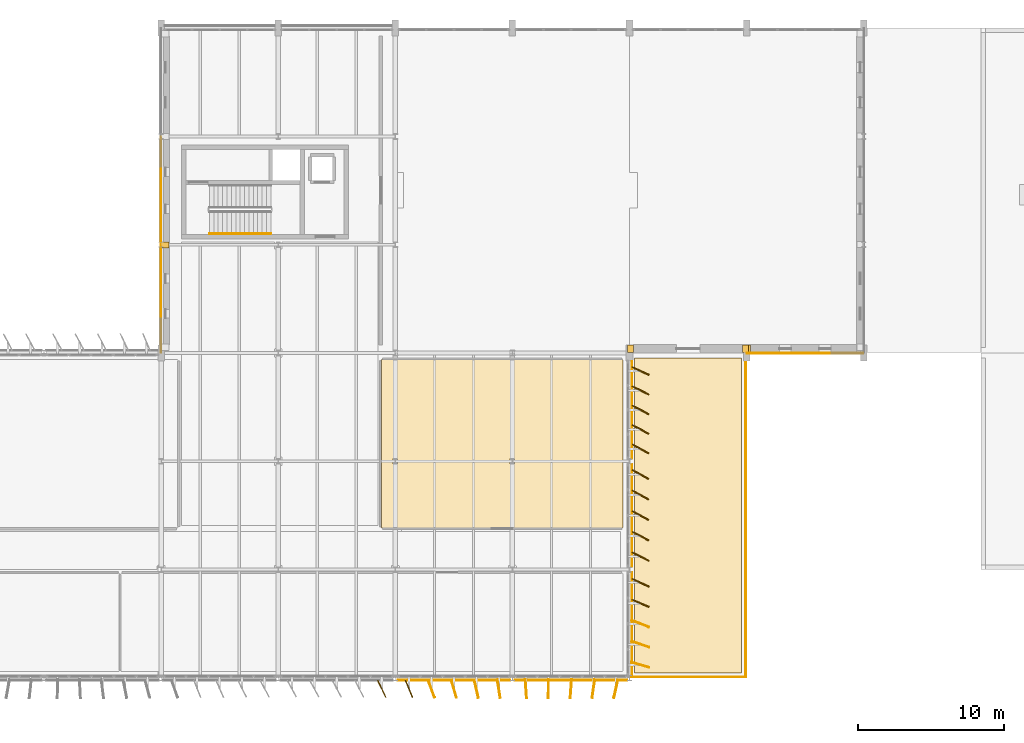
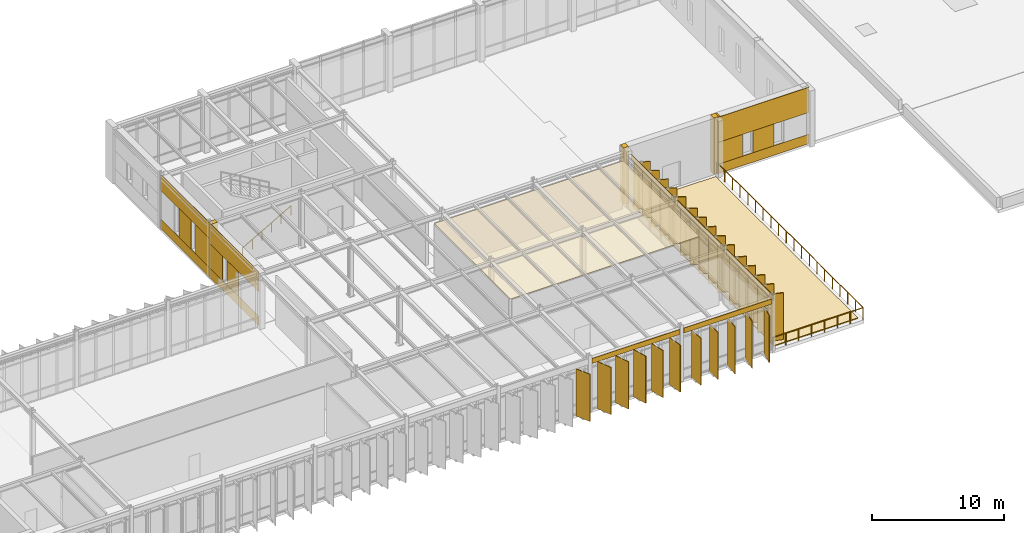
# One storey, part 46 of 48: 49 coverings, 3 railings.
"""IFC4 building model written with IfcOpenShell, lengths in metres."""

import ifcopenshell
import ifcopenshell.guid

model = None  # the IFC model being written
_history = None  # IfcOwnerHistory: only IFC2X3 demands one
_inside = {}  # id of a spatial element -> (the spatial element, [elements in it])
_under = {}  # id of a project, library or spatial element -> (it, [spatial elements below it])
_declared = {}  # id of a project -> (the project, [libraries it declares])
_typed = {}  # id of a type object -> (the type object, [elements of that type])
_made_of = {}  # id of a material, layer set ... -> (it, [elements and type objects made of it])


def new_model(schema):
    """Start an empty IFC model of exactly this schema.

    Asked for "IFC4X3", IfcOpenShell would pick the latest addendum, in which some entities
    have other attributes; the version numbers below select the first issue.
    IFC2X3 requires an IfcOwnerHistory on every rooted entity: one is made here for all.
    """
    global model, _history
    if schema == "IFC4X3":
        model = ifcopenshell.file(schema_version=(4, 3, 0, 0))
    else:
        model = ifcopenshell.file(schema=schema)
    _inside.clear()
    _under.clear()
    _declared.clear()
    _typed.clear()
    _made_of.clear()
    _history = None
    if model.schema == "IFC2X3":
        org = make("IfcOrganization", Name="unknown")
        user = make(
            "IfcPersonAndOrganization",
            ThePerson=make("IfcPerson", FamilyName="unknown"),
            TheOrganization=org,
        )
        app = make(
            "IfcApplication",
            ApplicationDeveloper=org,
            Version="unknown",
            ApplicationFullName="unknown",
            ApplicationIdentifier="unknown",
        )
        _history = make(
            "IfcOwnerHistory",
            OwningUser=user,
            OwningApplication=app,
            ChangeAction="ADDED",
            CreationDate=0,
        )
    return model


def make(cls, **values):
    """One entity of the class cls with the attributes given. An attribute that is None is left unset."""
    return model.create_entity(
        cls, **{name: value for name, value in values.items() if value is not None}
    )


def rooted(cls, **values):
    """An entity with a GlobalId (a new one), such as an element, a storey or a relation."""
    return make(cls, GlobalId=ifcopenshell.guid.new(), OwnerHistory=_history, **values)


def si_unit(unit_type, name, prefix=None):
    """IfcSIUnit, for example si_unit("LENGTHUNIT", "METRE", prefix="MILLI")."""
    return make("IfcSIUnit", UnitType=unit_type, Prefix=prefix, Name=name)


def assignment(units):
    """IfcUnitAssignment: the units of a project."""
    return None if units is None else make("IfcUnitAssignment", Units=units)


def point(xyz):
    """IfcCartesianPoint."""
    return None if xyz is None else make("IfcCartesianPoint", Coordinates=xyz)


def direction(xyz):
    """IfcDirection."""
    return None if xyz is None else make("IfcDirection", DirectionRatios=xyz)


def frame(location, z_axis=None, x_axis=None):
    """IfcAxis2Placement3D, a coordinate frame: its origin and axes. An axis left out is left unset."""
    return make(
        "IfcAxis2Placement3D",
        Location=point(location),
        Axis=direction(z_axis),
        RefDirection=direction(x_axis),
    )


def frame_2d(location, x_axis=None):
    """IfcAxis2Placement2D, a coordinate frame in the plane: its origin and x axis."""
    return make(
        "IfcAxis2Placement2D", Location=point(location), RefDirection=direction(x_axis)
    )


def origin():
    """The frame at (0, 0, 0) with its axes left unset."""
    return frame((0.0, 0.0, 0.0))


def origin_2d():
    """The frame at (0, 0) in the plane with its x axis left unset."""
    return frame_2d((0.0, 0.0))


def place(relative_to, where):
    """IfcLocalPlacement: puts the frame where relative to a parent placement (None: the world)."""
    return make(
        "IfcLocalPlacement", PlacementRelTo=relative_to, RelativePlacement=where
    )


def context(
    kind, dimensions, precision=None, world=None, true_north=None, identifier=None
):
    """IfcGeometricRepresentationContext, for example the 3D "Model" context."""
    return make(
        "IfcGeometricRepresentationContext",
        ContextIdentifier=identifier,
        ContextType=kind,
        CoordinateSpaceDimension=dimensions,
        Precision=precision,
        WorldCoordinateSystem=world,
        TrueNorth=true_north,
    )


def subcontext(parent, identifier, kind, view, scale=None):
    """IfcGeometricRepresentationSubContext, for example "Body" below "Model"."""
    return make(
        "IfcGeometricRepresentationSubContext",
        ContextIdentifier=identifier,
        ContextType=kind,
        ParentContext=parent,
        TargetScale=scale,
        TargetView=view,
    )


def project(units=None, contexts=None):
    """IfcProject with its units and contexts."""
    return rooted(
        "IfcProject",
        Name="project",
        RepresentationContexts=contexts,
        UnitsInContext=assignment(units),
    )


def spatial(cls, under=None, at=None, **own):
    """A site, building, storey or space (cls), placed at a placement, below another one or the project."""
    s = rooted(cls, ObjectPlacement=at, **own)
    if under is not None:
        _under.setdefault(under.id(), (under, []))[1].append(s)
    return s


def polyline(points):
    """IfcPolyline through the points."""
    return make("IfcPolyline", Points=[point(p) for p in points])


def profile(cls, at=None, kind="AREA", **sizes):
    """A parametric profile (cls). Its sizes go by their IFC names, for example OverallWidth=200.0."""
    return make(cls, ProfileType=kind, Position=at, **sizes)


def rectangle(**sizes):
    """IfcRectangleProfileDef."""
    return profile("IfcRectangleProfileDef", **sizes)


def circle(**sizes):
    """IfcCircleProfileDef."""
    return profile("IfcCircleProfileDef", **sizes)


def outline(outer, holes=None, kind="AREA"):
    """IfcArbitraryClosedProfileDef: a profile drawn as a closed curve; with holes, ...WithVoids."""
    if holes is None:
        return make("IfcArbitraryClosedProfileDef", ProfileType=kind, OuterCurve=outer)
    return make(
        "IfcArbitraryProfileDefWithVoids",
        ProfileType=kind,
        OuterCurve=outer,
        InnerCurves=holes,
    )


def extrude(swept, where, along, depth):
    """IfcExtrudedAreaSolid: the profile swept, set in the frame where, extruded along a direction by depth."""
    return make(
        "IfcExtrudedAreaSolid",
        SweptArea=swept,
        Position=where,
        ExtrudedDirection=direction(along),
        Depth=depth,
    )


def shape(context_of_items, identifier, shape_type, items):
    """IfcShapeRepresentation: the items that make up one representation, for example the "Body"."""
    return make(
        "IfcShapeRepresentation",
        ContextOfItems=context_of_items,
        RepresentationIdentifier=identifier,
        RepresentationType=shape_type,
        Items=items,
    )


def material(Name=None, Category=None):
    """IfcMaterial."""
    return make("IfcMaterial", Name=Name, Category=Category)


def layer(
    of_material, thickness, ventilated=None, Name=None, Category=None, Priority=None
):
    """IfcMaterialLayer: one layer of a wall or slab, of a material (None: an air gap)."""
    return make(
        "IfcMaterialLayer",
        Material=of_material,
        LayerThickness=thickness,
        IsVentilated=ventilated,
        Name=Name,
        Category=Category,
        Priority=Priority,
    )


def layer_set(layers, Name=None):
    """IfcMaterialLayerSet."""
    return make("IfcMaterialLayerSet", MaterialLayers=layers, LayerSetName=Name)


def made_of(thing, what):
    """Note that an element or type object is made of a material, layer set ...; save() writes the relation."""
    if what is not None:
        _made_of.setdefault(what.id(), (what, []))[1].append(thing)
    return thing


def type_object(cls, material=None, **own):
    """A type object (cls), such as IfcWallType, which elements share."""
    return made_of(rooted(cls, **own), material)


def element(
    cls,
    number,
    at=None,
    inside=None,
    cuts=None,
    type_object=None,
    material=None,
    context=None,
    identifier="Body",
    shape_type=None,
    held_by="IfcProductDefinitionShape",
    body=None,
    shapes=None,
    **own,
):
    """One element of the class cls, such as IfcWall. Its Tag is "e" and its number.

    at: its placement. inside: the storey or other place that contains it. cuts: it is an
    opening in that element (IfcRelVoidsElement). A single representation is given by context,
    identifier, shape_type and body (its items); several are given by shapes. held_by: the class
    of the entity that holds the representations. save() writes the other relations.
    """
    e = rooted(cls, Tag="e%d" % number, ObjectPlacement=at, **own)
    if body is not None:
        shapes = [shape(context, identifier, shape_type, body)]
    if shapes is not None:
        e.Representation = make(held_by, Representations=shapes)
    if inside is not None:
        _inside.setdefault(inside.id(), (inside, []))[1].append(e)
    if cuts is not None:
        rooted(
            "IfcRelVoidsElement", RelatingBuildingElement=cuts, RelatedOpeningElement=e
        )
    if type_object is not None:
        _typed.setdefault(type_object.id(), (type_object, []))[1].append(e)
    return made_of(e, material)


def aggregate(whole, parts):
    """IfcRelAggregates: a whole, such as a stair, and the parts it consists of."""
    return rooted("IfcRelAggregates", RelatingObject=whole, RelatedObjects=parts)


def save(model, path):
    """Write the relations noted so far, then the file.

    IfcRelAggregates (storeys below a building ...), IfcRelContainedInSpatialStructure (elements
    in a storey), IfcRelDefinesByType, IfcRelAssociatesMaterial and IfcRelDeclares: one each for
    every whole, place, type object, material and project.
    """
    for whole, parts in _under.values():
        aggregate(whole, parts)
    for where, things in _inside.values():
        rooted(
            "IfcRelContainedInSpatialStructure",
            RelatedElements=things,
            RelatingStructure=where,
        )
    for kind, things in _typed.values():
        rooted("IfcRelDefinesByType", RelatedObjects=things, RelatingType=kind)
    for what, things in _made_of.values():
        rooted("IfcRelAssociatesMaterial", RelatedObjects=things, RelatingMaterial=what)
    for by, libraries in _declared.values():
        rooted("IfcRelDeclares", RelatingContext=by, RelatedDefinitions=libraries)
    model.write(path)


model = new_model("IFC4")

# Units and contexts
model_context = context("Model", 3, precision=1e-05, world=origin(), true_north=direction((0.0, 1.0)))
body_context = subcontext(model_context, "Body", "Model", "MODEL_VIEW")
ifc_project = project(units=[si_unit("LENGTHUNIT", "METRE"), si_unit("AREAUNIT", "SQUARE_METRE"), si_unit("VOLUMEUNIT", "CUBIC_METRE"), si_unit("PLANEANGLEUNIT", "RADIAN"), si_unit("MASSUNIT", "GRAM", prefix="KILO")], contexts=[model_context])

# Site, building, storey
site_placement = place(None, origin())
site = spatial("IfcSite", under=ifc_project, at=site_placement, CompositionType="ELEMENT")
building_placement = place(site_placement, origin())
building = spatial("IfcBuilding", under=site, at=building_placement, Name="Valkorina Park Police Headquarters", CompositionType="ELEMENT")
storey_placement = place(building_placement, frame((0.0, 0.0, 18.10009765625)))
storey = spatial("IfcBuildingStorey", under=building, at=storey_placement, Name="L05", CompositionType="ELEMENT", Elevation=18.10009765625)

# Coverings
ifc_material_1 = material(Name="Acoustic mineral board")
ifc_layer_1 = layer(ifc_material_1, 0.02490234375)
ifc_layer_set_1 = layer_set([ifc_layer_1], Name="Acoustic mineral board")
covering_type_1 = type_object("IfcCoveringType", Name="COV-CEILING-ACOUST", PredefinedType="CEILING", material=ifc_layer_set_1)
covering_1_placement = place(storey_placement, frame((0.0, 0.0, 4.39501953125)))
element("IfcCovering", 1, at=covering_1_placement, inside=storey, type_object=covering_type_1, Name="East Terrace Staff Lounge Acoustic Suspended Ceiling", PredefinedType="CEILING", context=body_context, shape_type="SweptSolid", body=[
    extrude(outline(polyline([(112.295654296875, 58.758544921875), (112.287841796875, 58.759521484375), (112.280029296875, 58.760009765625), (95.919921875, 58.760009765625), (95.912109375, 58.759521484375), (95.904296875, 58.758544921875), (95.896728515625, 58.756591796875), (95.889404296875, 58.75390625), (95.88232421875, 58.75048828125), (95.87548828125, 58.74658203125), (95.869140625, 58.74169921875), (95.86328125, 58.736572265625), (95.858154296875, 58.730712890625), (95.853515625, 58.724365234375), (95.849365234375, 58.7177734375), (95.84619140625, 58.710693359375), (95.843505859375, 58.703125), (95.841552734375, 58.695556640625), (95.84033203125, 58.687744140625), (95.840087890625, 58.679931640625), (95.840087890625, 47.320068359375), (95.84033203125, 47.312255859375), (95.841552734375, 47.304443359375), (95.843505859375, 47.296875), (95.84619140625, 47.289306640625), (95.849365234375, 47.2822265625), (95.853515625, 47.275634765625), (95.858154296875, 47.269287109375), (95.86328125, 47.263427734375), (95.869140625, 47.25830078125), (95.87548828125, 47.25341796875), (95.88232421875, 47.24951171875), (95.889404296875, 47.24609375), (95.896728515625, 47.243408203125), (95.904296875, 47.241455078125), (95.912109375, 47.240478515625), (95.919921875, 47.239990234375), (112.280029296875, 47.239990234375), (112.287841796875, 47.240478515625), (112.295654296875, 47.241455078125), (112.30322265625, 47.243408203125), (112.310546875, 47.24609375), (112.317626953125, 47.24951171875), (112.324462890625, 47.25341796875), (112.330810546875, 47.25830078125), (112.336669921875, 47.263427734375), (112.341796875, 47.269287109375), (112.346435546875, 47.275634765625), (112.3505859375, 47.2822265625), (112.35400390625, 47.289306640625), (112.356689453125, 47.296875), (112.3583984375, 47.304443359375), (112.359619140625, 47.312255859375), (112.360107421875, 47.320068359375), (112.360107421875, 58.679931640625), (112.359619140625, 58.687744140625), (112.3583984375, 58.695556640625), (112.356689453125, 58.703125), (112.35400390625, 58.710693359375), (112.3505859375, 58.7177734375), (112.346435546875, 58.724365234375), (112.341796875, 58.730712890625), (112.336669921875, 58.736572265625), (112.330810546875, 58.74169921875), (112.324462890625, 58.74658203125), (112.317626953125, 58.75048828125), (112.310546875, 58.75390625), (112.30322265625, 58.756591796875), (112.295654296875, 58.758544921875)]), holes=[polyline([(104.64990234375, 51.97998046875), (104.949951171875, 51.97998046875), (104.949951171875, 51.6201171875), (104.64990234375, 51.6201171875), (104.64990234375, 51.97998046875)]), polyline([(96.64990234375, 51.97998046875), (96.949951171875, 51.97998046875), (96.949951171875, 51.6201171875), (96.64990234375, 51.6201171875), (96.64990234375, 51.97998046875)])]), origin(), (0.0, 0.0, 1.0), 0.02490234375),
])
ifc_material_2 = material(Name="Precast concrete C40/50", Category="concrete")
ifc_layer_2 = layer(ifc_material_2, 0.044921875)
ifc_layer_set_2 = layer_set([ifc_layer_2], Name="Precast concrete C40/50")
covering_type_2 = type_object("IfcCoveringType", Name="COV-CLAD-DOLOMITE", PredefinedType="CLADDING", material=ifc_layer_set_2)
for number, where, z_axis, x_axis, name in (
    (2, (112.639892578125, 36.840087890625, 4.409912109375), (0.0, 0.0, 1.0), (-1.0, 0.0, 0.0), "L05 Spandrel Beam Insulated Fascia 2396"),
    (3, (104.639892578125, 36.840087890625, 4.409912109375), (0.0, 0.0, 1.0), (-1.0, 0.0, 0.0), "L05 Spandrel Beam Insulated Fascia 2397"),
):
    element("IfcCovering", number, at=place(storey_placement, frame(where, z_axis=z_axis, x_axis=x_axis)), inside=storey, type_object=covering_type_2, Name=name, PredefinedType="CLADDING", context=body_context, shape_type="SweptSolid", body=[
        extrude(rectangle(XDim=7.679931640625, YDim=0.044921875, at=frame_2d((3.83984375, 0.0))), origin(), (0.0, 0.0, 1.0), 0.4599609375),
    ])
covering_2_placement = place(storey_placement, frame((81.090087890625, 66.580078125, 0.0), z_axis=(0.0, 0.0, 1.0), x_axis=(0.0, 1.0, 0.0)))
element("IfcCovering", 4, at=covering_2_placement, inside=storey, type_object=covering_type_2, Name="L05 Exterior Joint Closure Pilaster B 2424", PredefinedType="CLADDING", context=body_context, shape_type="SweptSolid", body=[
    extrude(rectangle(XDim=0.419921875, YDim=0.52197265625, at=origin_2d()), origin(), (0.0, 0.0, 1.0), 4.97998046875),
])
covering_3_placement = place(storey_placement, frame((80.784912109375, 59.219970703125, 0.0), z_axis=(0.0, 0.0, 1.0), x_axis=(0.0, 1.0, 0.0)))
element("IfcCovering", 5, at=covering_3_placement, inside=storey, type_object=covering_type_2, Name="L05 Calm Concrete Base Sill Spandrel 2425", PredefinedType="CLADDING", context=body_context, shape_type="SweptSolid", body=[
    extrude(rectangle(XDim=7.360107421875, YDim=0.044921875, at=frame_2d((3.68017578125, 0.0))), origin(), (0.0, 0.0, 1.0), 0.869873046875),
])
covering_4_placement = place(storey_placement, frame((80.784912109375, 59.219970703125, 3.1298828125), z_axis=(0.0, 0.0, 1.0), x_axis=(0.0, 1.0, 0.0)))
element("IfcCovering", 6, at=covering_4_placement, inside=storey, type_object=covering_type_2, Name="L05 Calm Concrete Base Lintel Spandrel 2426", PredefinedType="CLADDING", context=body_context, shape_type="SweptSolid", body=[
    extrude(rectangle(XDim=7.360107421875, YDim=0.044921875, at=frame_2d((3.68017578125, 0.0))), origin(), (0.0, 0.0, 1.0), 1.85009765625),
])
covering_5_placement = place(storey_placement, frame((80.784912109375, 62.238037109375, 0.869873046875), z_axis=(0.0, 0.0, 1.0), x_axis=(0.0, 1.0, 0.0)))
element("IfcCovering", 7, at=covering_5_placement, inside=storey, type_object=covering_type_2, Name="L05 Calm Concrete Base Slot Pier 2428", PredefinedType="CLADDING", context=body_context, shape_type="SweptSolid", body=[
    extrude(rectangle(XDim=1.69384765625, YDim=0.044921875, at=frame_2d((0.846923828125, 0.0))), origin(), (0.0, 0.0, 1.0), 2.260009765625),
])
covering_6_placement = place(storey_placement, frame((80.784912109375, 64.632080078125, 0.869873046875), z_axis=(0.0, 0.0, 1.0), x_axis=(0.0, 1.0, 0.0)))
element("IfcCovering", 8, at=covering_6_placement, inside=storey, type_object=covering_type_2, Name="L05 Calm Concrete Base Slot Pier 2429", PredefinedType="CLADDING", context=body_context, shape_type="SweptSolid", body=[
    extrude(rectangle(XDim=1.947998046875, YDim=0.044921875, at=frame_2d((0.97412109375, 0.0))), origin(), (0.0, 0.0, 1.0), 2.260009765625),
])
covering_7_placement = place(storey_placement, frame((80.784912109375, 66.6201171875, 0.0), z_axis=(0.0, 0.0, 1.0), x_axis=(0.0, 1.0, 0.0)))
element("IfcCovering", 9, at=covering_7_placement, inside=storey, type_object=covering_type_2, Name="L05 Calm Concrete Base Sill Spandrel 2431", PredefinedType="CLADDING", context=body_context, shape_type="SweptSolid", body=[
    extrude(rectangle(XDim=7.35986328125, YDim=0.044921875, at=frame_2d((3.679931640625, 0.0))), origin(), (0.0, 0.0, 1.0), 0.869873046875),
])
covering_8_placement = place(storey_placement, frame((80.784912109375, 66.6201171875, 3.52978515625), z_axis=(0.0, 0.0, 1.0), x_axis=(0.0, 1.0, 0.0)))
element("IfcCovering", 10, at=covering_8_placement, inside=storey, type_object=covering_type_2, Name="L05 Calm Concrete Base Lintel Spandrel 2432", PredefinedType="CLADDING", context=body_context, shape_type="SweptSolid", body=[
    extrude(rectangle(XDim=7.35986328125, YDim=0.044921875, at=frame_2d((3.679931640625, 0.0))), origin(), (0.0, 0.0, 1.0), 1.4501953125),
])
covering_9_placement = place(storey_placement, frame((80.784912109375, 66.6201171875, 0.869873046875), z_axis=(0.0, 0.0, 1.0), x_axis=(0.0, 1.0, 0.0)))
element("IfcCovering", 11, at=covering_9_placement, inside=storey, type_object=covering_type_2, Name="L05 Calm Concrete Base Slot Pier 2433", PredefinedType="CLADDING", context=body_context, shape_type="SweptSolid", body=[
    extrude(rectangle(XDim=2.066162109375, YDim=0.044921875, at=frame_2d((1.033203125, 0.0))), origin(), (0.0, 0.0, 1.0), 2.659912109375),
])
covering_10_placement = place(storey_placement, frame((80.784912109375, 69.386474609375, 0.869873046875), z_axis=(0.0, 0.0, 1.0), x_axis=(0.0, 1.0, 0.0)))
element("IfcCovering", 12, at=covering_10_placement, inside=storey, type_object=covering_type_2, Name="L05 Calm Concrete Base Slot Pier 2434", PredefinedType="CLADDING", context=body_context, shape_type="SweptSolid", body=[
    extrude(rectangle(XDim=1.8271484375, YDim=0.044921875, at=frame_2d((0.91357421875, 0.0))), origin(), (0.0, 0.0, 1.0), 2.659912109375),
])
covering_11_placement = place(storey_placement, frame((120.864990234375, 59.489990234375, 0.0), z_axis=(0.0, 0.0, 1.0), x_axis=(1.0, 0.0, 0.0)))
element("IfcCovering", 13, at=covering_11_placement, inside=storey, type_object=covering_type_2, Name="L05 Exterior Joint Closure Pilaster B 2463", PredefinedType="CLADDING", context=body_context, shape_type="SweptSolid", body=[
    extrude(rectangle(XDim=0.419921875, YDim=0.52197265625, at=origin_2d()), origin(), (0.0, 0.0, 1.0), 5.199951171875),
])
covering_12_placement = place(storey_placement, frame((128.780029296875, 59.18505859375, 0.0), z_axis=(0.0, 0.0, 1.0), x_axis=(-1.0, 0.0, 0.0)))
element("IfcCovering", 14, at=covering_12_placement, inside=storey, type_object=covering_type_2, Name="L05 Calm Concrete Base Sill Spandrel 2464", PredefinedType="CLADDING", context=body_context, shape_type="SweptSolid", body=[
    extrude(rectangle(XDim=7.9599609375, YDim=0.044921875, at=frame_2d((3.97998046875, 0.0))), origin(), (0.0, 0.0, 1.0), 0.869873046875),
])
covering_13_placement = place(storey_placement, frame((128.780029296875, 59.18505859375, 2.8798828125), z_axis=(0.0, 0.0, 1.0), x_axis=(-1.0, 0.0, 0.0)))
element("IfcCovering", 15, at=covering_13_placement, inside=storey, type_object=covering_type_2, Name="L05 Calm Concrete Base Lintel Spandrel 2465", PredefinedType="CLADDING", context=body_context, shape_type="SweptSolid", body=[
    extrude(rectangle(XDim=7.9599609375, YDim=0.044921875, at=frame_2d((3.97998046875, 0.0))), origin(), (0.0, 0.0, 1.0), 2.320068359375),
])
covering_14_placement = place(storey_placement, frame((125.705322265625, 59.18505859375, 0.869873046875), z_axis=(0.0, 0.0, 1.0), x_axis=(-1.0, 0.0, 0.0)))
element("IfcCovering", 16, at=covering_14_placement, inside=storey, type_object=covering_type_2, Name="L05 Calm Concrete Base Slot Pier 2467", PredefinedType="CLADDING", context=body_context, shape_type="SweptSolid", body=[
    extrude(rectangle(XDim=1.810791015625, YDim=0.044921875, at=frame_2d((0.9052734375, 0.0))), origin(), (0.0, 0.0, 1.0), 2.010009765625),
])
covering_15_placement = place(storey_placement, frame((122.99462890625, 59.18505859375, 0.869873046875), z_axis=(0.0, 0.0, 1.0), x_axis=(-1.0, 0.0, 0.0)))
element("IfcCovering", 17, at=covering_15_placement, inside=storey, type_object=covering_type_2, Name="L05 Calm Concrete Base Slot Pier 2468", PredefinedType="CLADDING", context=body_context, shape_type="SweptSolid", body=[
    extrude(rectangle(XDim=2.174560546875, YDim=0.044921875, at=frame_2d((1.08740234375, 0.0))), origin(), (0.0, 0.0, 1.0), 2.010009765625),
])
for number, where, z_axis, x_axis, name in (
    (18, (120.735107421875, 59.489990234375, 0.0), (0.0, 0.0, 1.0), (1.0, 0.0, 0.0), "L05 Exterior Joint Closure Pilaster A 2469"),
    (19, (112.864990234375, 59.489990234375, 0.0), (0.0, 0.0, 1.0), (1.0, 0.0, 0.0), "L05 Exterior Joint Closure Pilaster B 2470"),
):
    element("IfcCovering", number, at=place(storey_placement, frame(where, z_axis=z_axis, x_axis=x_axis)), inside=storey, type_object=covering_type_2, Name=name, PredefinedType="CLADDING", context=body_context, shape_type="SweptSolid", body=[
        extrude(rectangle(XDim=0.419921875, YDim=0.52197265625, at=origin_2d()), origin(), (0.0, 0.0, 1.0), 5.199951171875),
    ])
covering_16_placement = place(storey_placement, frame((112.9599609375, 58.639892578125, 4.409912109375), z_axis=(0.0, 0.0, 1.0), x_axis=(0.0, -1.0, 0.0)))
element("IfcCovering", 20, at=covering_16_placement, inside=storey, type_object=covering_type_2, Name="L05 Spandrel Beam Insulated Fascia 2471", PredefinedType="CLADDING", context=body_context, shape_type="SweptSolid", body=[
    extrude(rectangle(XDim=6.64990234375, YDim=0.044921875, at=frame_2d((3.324951171875, 0.0))), origin(), (0.0, 0.0, 1.0), 0.4599609375),
])
for number, where, z_axis, x_axis, name in (
    (21, (112.9599609375, 51.610107421875, 4.409912109375), (0.0, 0.0, 1.0), (0.0, -1.0, 0.0), "L05 Spandrel Beam Insulated Fascia 2472"),
    (22, (112.9599609375, 44.2099609375, 4.409912109375), (0.0, 0.0, 1.0), (0.0, -1.0, 0.0), "L05 Spandrel Beam Insulated Fascia 2473"),
):
    element("IfcCovering", number, at=place(storey_placement, frame(where, z_axis=z_axis, x_axis=x_axis)), inside=storey, type_object=covering_type_2, Name=name, PredefinedType="CLADDING", context=body_context, shape_type="SweptSolid", body=[
        extrude(rectangle(XDim=7.02001953125, YDim=0.044921875, at=frame_2d((3.510009765625, 0.0))), origin(), (0.0, 0.0, 1.0), 0.4599609375),
    ])
ifc_material_3 = material(Name="Planted green roof substrate")
ifc_layer_3 = layer(ifc_material_3, 0.080078125)
ifc_layer_set_3 = layer_set([ifc_layer_3], Name="Planted green roof substrate")
covering_type_3 = type_object("IfcCoveringType", Name="COV-ROOF-GREEN", PredefinedType="ROOFING", material=ifc_layer_set_3)
covering_17_placement = place(storey_placement, origin())
element("IfcCovering", 23, at=covering_17_placement, inside=storey, type_object=covering_type_3, Name="L05 Operations East Planted Terrace Planted Substrate", PredefinedType="ROOFING", context=body_context, shape_type="SweptSolid", body=[
    extrude(outline(polyline([(120.449951171875, 58.842041015625), (113.14990234375, 58.842041015625), (113.14990234375, 37.35009765625), (120.449951171875, 37.35009765625), (120.449951171875, 58.842041015625)])), origin(), (0.0, 0.0, 1.0), 0.079833984375),
])

# Railings
ifc_material_4 = material(Name="Stainless steel EN 1.4404", Category="steel")
railing_type_1 = type_object("IfcRailingType", Name="RL-GUARD-EXT-1100", PredefinedType="BALUSTRADE", material=ifc_material_4)
railing_1_placement = place(storey_placement, frame((112.860107421875, 37.06005859375, 0.0)))
element("IfcRailing", 24, at=railing_1_placement, inside=storey, type_object=railing_type_1, Name="TERR-L05-EAST Perimeter Balustrade Guard 6", PredefinedType="BALUSTRADE", context=body_context, shape_type="SweptSolid", body=[
    extrude(circle(Radius=0.02392578125, at=origin_2d()), frame((0.0, 0.0, 1.09619140625), z_axis=(1.0, 0.0, 0.0), x_axis=(0.0, 1.0, 0.0)), (0.0, 0.0, 1.0), 7.8798828125),
    extrude(circle(Radius=0.02099609375, at=origin_2d()), origin(), (0.0, 0.0, 1.0), 1.072021484375),
    extrude(circle(Radius=0.02099609375, at=origin_2d()), frame((1.125732421875, 0.0, 0.0)), (0.0, 0.0, 1.0), 1.072021484375),
    extrude(circle(Radius=0.02099609375, at=origin_2d()), frame((2.25146484375, 0.0, 0.0)), (0.0, 0.0, 1.0), 1.072021484375),
    extrude(circle(Radius=0.02099609375, at=origin_2d()), frame((3.377197265625, 0.0, 0.0)), (0.0, 0.0, 1.0), 1.072021484375),
    extrude(circle(Radius=0.02099609375, at=origin_2d()), frame((4.502685546875, 0.0, 0.0)), (0.0, 0.0, 1.0), 1.072021484375),
    extrude(circle(Radius=0.02099609375, at=origin_2d()), frame((5.62841796875, 0.0, 0.0)), (0.0, 0.0, 1.0), 1.072021484375),
    extrude(circle(Radius=0.02099609375, at=origin_2d()), frame((6.754150390625, 0.0, 0.0)), (0.0, 0.0, 1.0), 1.072021484375),
    extrude(circle(Radius=0.02099609375, at=origin_2d()), frame((7.8798828125, 0.0, 0.0)), (0.0, 0.0, 1.0), 1.072021484375),
])
railing_2_placement = place(storey_placement, frame((120.739990234375, 37.06005859375, 0.0)))
element("IfcRailing", 25, at=railing_2_placement, inside=storey, type_object=railing_type_1, Name="TERR-L05-EAST Perimeter Balustrade Guard 7", PredefinedType="BALUSTRADE", context=body_context, shape_type="SweptSolid", body=[
    extrude(circle(Radius=0.02392578125, at=origin_2d()), frame((0.0, 0.0, 1.09619140625), z_axis=(0.0, 1.0, 0.0), x_axis=(-1.0, 0.0, 0.0)), (0.0, 0.0, 1.0), 22.072021484375),
    extrude(circle(Radius=0.02099609375, at=origin_2d()), origin(), (0.0, 0.0, 1.0), 1.072021484375),
    extrude(circle(Radius=0.02099609375, at=origin_2d()), frame((0.0, 1.16162109375, 0.0)), (0.0, 0.0, 1.0), 1.072021484375),
    extrude(circle(Radius=0.02099609375, at=origin_2d()), frame((0.0, 2.323486328125, 0.0)), (0.0, 0.0, 1.0), 1.072021484375),
    extrude(circle(Radius=0.02099609375, at=origin_2d()), frame((0.0, 3.485107421875, 0.0)), (0.0, 0.0, 1.0), 1.072021484375),
    extrude(circle(Radius=0.02099609375, at=origin_2d()), frame((0.0, 4.646728515625, 0.0)), (0.0, 0.0, 1.0), 1.072021484375),
    extrude(circle(Radius=0.02099609375, at=origin_2d()), frame((0.0, 5.808349609375, 0.0)), (0.0, 0.0, 1.0), 1.072021484375),
    extrude(circle(Radius=0.02099609375, at=origin_2d()), frame((0.0, 6.97021484375, 0.0)), (0.0, 0.0, 1.0), 1.072021484375),
    extrude(circle(Radius=0.02099609375, at=origin_2d()), frame((0.0, 8.1318359375, 0.0)), (0.0, 0.0, 1.0), 1.072021484375),
    extrude(circle(Radius=0.02099609375, at=origin_2d()), frame((0.0, 9.29345703125, 0.0)), (0.0, 0.0, 1.0), 1.072021484375),
    extrude(circle(Radius=0.02099609375, at=origin_2d()), frame((0.0, 10.455078125, 0.0)), (0.0, 0.0, 1.0), 1.072021484375),
    extrude(circle(Radius=0.02099609375, at=origin_2d()), frame((0.0, 11.616943359375, 0.0)), (0.0, 0.0, 1.0), 1.072021484375),
    extrude(circle(Radius=0.02099609375, at=origin_2d()), frame((0.0, 12.778564453125, 0.0)), (0.0, 0.0, 1.0), 1.072021484375),
    extrude(circle(Radius=0.02099609375, at=origin_2d()), frame((0.0, 13.940185546875, 0.0)), (0.0, 0.0, 1.0), 1.072021484375),
    extrude(circle(Radius=0.02099609375, at=origin_2d()), frame((0.0, 15.101806640625, 0.0)), (0.0, 0.0, 1.0), 1.072021484375),
    extrude(circle(Radius=0.02099609375, at=origin_2d()), frame((0.0, 16.263671875, 0.0)), (0.0, 0.0, 1.0), 1.072021484375),
    extrude(circle(Radius=0.02099609375, at=origin_2d()), frame((0.0, 17.42529296875, 0.0)), (0.0, 0.0, 1.0), 1.072021484375),
    extrude(circle(Radius=0.02099609375, at=origin_2d()), frame((0.0, 18.5869140625, 0.0)), (0.0, 0.0, 1.0), 1.072021484375),
    extrude(circle(Radius=0.02099609375, at=origin_2d()), frame((0.0, 19.74853515625, 0.0)), (0.0, 0.0, 1.0), 1.072021484375),
    extrude(circle(Radius=0.02099609375, at=origin_2d()), frame((0.0, 20.910400390625, 0.0)), (0.0, 0.0, 1.0), 1.072021484375),
    extrude(circle(Radius=0.02099609375, at=origin_2d()), frame((0.0, 22.072021484375, 0.0)), (0.0, 0.0, 1.0), 1.072021484375),
])
railing_type_2 = type_object("IfcRailingType", Name="RL-HANDRAIL-900", PredefinedType="HANDRAIL", material=ifc_material_4)
railing_3_placement = place(storey_placement, frame((84.10009765625, 67.35009765625, 0.17333984375)))
element("IfcRailing", 26, at=railing_3_placement, inside=storey, type_object=railing_type_2, Name="L05 Core C6 Stair Handrail 1", PredefinedType="HANDRAIL", context=body_context, shape_type="SweptSolid", body=[
    extrude(circle(Radius=0.02392578125, at=origin_2d()), frame((0.0, 0.0, 0.8759765625), z_axis=(0.865876216699, 0.0, 0.50025831063), x_axis=(0.0, 1.0, 0.0)), (0.0, 0.0, 1.0), 4.8505859375),
    extrude(circle(Radius=0.02099609375, at=origin_2d()), origin(), (0.0, 0.0, 1.0), 0.851806640625),
    extrude(circle(Radius=0.02099609375, at=origin_2d()), frame((0.840087890625, 0.0, 0.4853515625)), (0.0, 0.0, 1.0), 0.851806640625),
    extrude(circle(Radius=0.02099609375, at=origin_2d()), frame((1.679931640625, 0.0, 0.970703125)), (0.0, 0.0, 1.0), 0.851806640625),
    extrude(circle(Radius=0.02099609375, at=origin_2d()), frame((2.52001953125, 0.0, 1.455810546875)), (0.0, 0.0, 1.0), 0.851806640625),
    extrude(circle(Radius=0.02099609375, at=origin_2d()), frame((3.35986328125, 0.0, 1.941162109375)), (0.0, 0.0, 1.0), 0.851806640625),
    extrude(circle(Radius=0.02099609375, at=origin_2d()), frame((4.199951171875, 0.0, 2.426513671875)), (0.0, 0.0, 1.0), 0.851806640625),
])

# Coverings
ifc_material_5 = material(Name="Polychrome anodized aluminium - Baltic Amber", Category="aluminium")
ifc_layer_4 = layer(ifc_material_5, 0.06494140625)
ifc_layer_set_4 = layer_set([ifc_layer_4], Name="Polychrome anodized aluminium - Baltic Amber")
covering_type_4 = type_object("IfcCoveringType", Name="SHD-LOUVRE-AMBER", PredefinedType="CLADDING", material=ifc_layer_set_4)
for number, where, z_axis, x_axis, name in (
    (27, (107.263916015625, 36.260009765625, 0.039794921875), (0.0, 0.0, 1.0), (-0.003665183223, -0.999993283193, 0.0), "V5 Polychrome Pivoting Louvre 0161"),
    (28, (100.800048828125, 36.260009765625, 0.039794921875), (0.0, 0.0, 1.0), (0.284684657889, -0.95862122111, 0.0), "V5 Polychrome Pivoting Louvre 0165"),
    (29, (113.5400390625, 55.31494140625, 0.039794921875), (0.0, 0.0, 1.0), (0.887975971074, -0.459889850721, 0.0), "V5 Polychrome Pivoting Louvre 0297"),
    (30, (113.5400390625, 49.50390625, 0.039794921875), (0.0, 0.0, 1.0), (0.875801708379, -0.482671075992, 0.0), "V5 Polychrome Pivoting Louvre 0301"),
    (31, (113.5400390625, 43.508056640625, 0.039794921875), (0.0, 0.0, 1.0), (0.908289258312, -0.418342710268, 0.0), "V5 Polychrome Pivoting Louvre 0305"),
    (32, (113.5400390625, 37.89208984375, 0.039794921875), (0.0, 0.0, 1.0), (0.959461676674, -0.281839122541, 0.0), "V5 Polychrome Pivoting Louvre 0309"),
):
    element("IfcCovering", number, at=place(storey_placement, frame(where, z_axis=z_axis, x_axis=x_axis)), inside=storey, type_object=covering_type_4, Name=name, PredefinedType="CLADDING", context=body_context, shape_type="SweptSolid", body=[
        extrude(rectangle(XDim=1.280029296875, YDim=0.06494140625, at=origin_2d()), origin(), (0.0, 0.0, 1.0), 4.35009765625),
    ])
ifc_material_6 = material(Name="Polychrome anodized aluminium - Riga Ochre", Category="aluminium")
ifc_layer_5 = layer(ifc_material_6, 0.06494140625)
ifc_layer_set_5 = layer_set([ifc_layer_5], Name="Polychrome anodized aluminium - Riga Ochre")
covering_type_5 = type_object("IfcCoveringType", Name="SHD-LOUVRE-OCHRE", PredefinedType="CLADDING", material=ifc_layer_set_5)
for number, where, z_axis, x_axis, name in (
    (33, (110.3359375, 36.260009765625, 0.039794921875), (0.0, 0.0, 1.0), (-0.14849983838, -0.988912431918, 0.0), "V5 Polychrome Pivoting Louvre 0159"),
    (34, (103.8720703125, 36.260009765625, 0.039794921875), (0.0, 0.0, 1.0), (0.156262078523, -0.987715628516, 0.0), "V5 Polychrome Pivoting Louvre 0163"),
    (35, (97.72802734375, 36.260009765625, 0.039794921875), (0.0, 0.0, 1.0), (0.385745023176, -0.922605428715, 0.0), "V5 Polychrome Pivoting Louvre 0167"),
    (36, (113.5400390625, 57.97509765625, 0.039794921875), (0.0, 0.0, 1.0), (0.906749854826, -0.421668946893, 0.0), "V5 Polychrome Pivoting Louvre 0295"),
    (37, (113.5400390625, 52.655029296875, 0.039794921875), (0.0, 0.0, 1.0), (0.876894599045, -0.480682704252, 0.0), "V5 Polychrome Pivoting Louvre 0299"),
    (38, (113.5400390625, 46.696044921875, 0.039794921875), (0.0, 0.0, 1.0), (0.886122705322, -0.463450699766, 0.0), "V5 Polychrome Pivoting Louvre 0303"),
    (39, (113.5400390625, 40.699951171875, 0.039794921875), (0.0, 0.0, 1.0), (0.93345527561, -0.358693808751, 0.0), "V5 Polychrome Pivoting Louvre 0307"),
):
    element("IfcCovering", number, at=place(storey_placement, frame(where, z_axis=z_axis, x_axis=x_axis)), inside=storey, type_object=covering_type_5, Name=name, PredefinedType="CLADDING", context=body_context, shape_type="SweptSolid", body=[
        extrude(rectangle(XDim=1.280029296875, YDim=0.06494140625, at=origin_2d()), origin(), (0.0, 0.0, 1.0), 4.35009765625),
    ])
ifc_material_7 = material(Name="Polychrome anodized aluminium - Courland Slate Blue", Category="masonry")
ifc_layer_6 = layer(ifc_material_7, 0.06494140625)
ifc_layer_set_6 = layer_set([ifc_layer_6], Name="Polychrome anodized aluminium - Courland Slate Blue")
covering_type_6 = type_object("IfcCoveringType", Name="SHD-LOUVRE-SLATE", PredefinedType="CLADDING", material=ifc_layer_set_6)
for number, where, z_axis, x_axis, name in (
    (40, (108.800048828125, 36.260009765625, 0.039794921875), (0.0, 0.0, 1.0), (-0.077067060513, -0.997025911491, 0.0), "V5 Polychrome Pivoting Louvre 0160"),
    (41, (102.3359375, 36.260009765625, 0.039794921875), (0.0, 0.0, 1.0), (0.223250116011, -0.974761194191, 0.0), "V5 Polychrome Pivoting Louvre 0164"),
    (42, (95.8720703125, 36.260009765625, 0.039794921875), (0.0, 0.0, 1.0), (0.4306686211, -0.902510132242, 0.0), "V5 Polychrome Pivoting Louvre 0168"),
    (43, (113.5400390625, 56.64501953125, 0.039794921875), (0.0, 0.0, 1.0), (0.89656374724, -0.442914717678, 0.0), "V5 Polychrome Pivoting Louvre 0296"),
    (44, (113.5400390625, 50.907958984375, 0.039794921875), (0.0, 0.0, 1.0), (0.874619707139, -0.484809620246, 0.0), "V5 Polychrome Pivoting Louvre 0300"),
    (45, (113.5400390625, 45.2919921875, 0.039794921875), (0.0, 0.0, 1.0), (0.894700610308, -0.446666338461, 0.0), "V5 Polychrome Pivoting Louvre 0304"),
    (46, (113.5400390625, 39.2958984375, 0.039794921875), (0.0, 0.0, 1.0), (0.946649260116, -0.322265695231, 0.0), "V5 Polychrome Pivoting Louvre 0308"),
):
    element("IfcCovering", number, at=place(storey_placement, frame(where, z_axis=z_axis, x_axis=x_axis)), inside=storey, type_object=covering_type_6, Name=name, PredefinedType="CLADDING", context=body_context, shape_type="SweptSolid", body=[
        extrude(rectangle(XDim=1.280029296875, YDim=0.06494140625, at=origin_2d()), origin(), (0.0, 0.0, 1.0), 4.35009765625),
    ])
ifc_material_8 = material(Name="Polychrome anodized aluminium - Pine Verdigris", Category="aluminium")
ifc_layer_7 = layer(ifc_material_8, 0.06494140625)
ifc_layer_set_7 = layer_set([ifc_layer_7], Name="Polychrome anodized aluminium - Pine Verdigris")
covering_type_7 = type_object("IfcCoveringType", Name="SHD-LOUVRE-VERDIGRIS", PredefinedType="CLADDING", material=ifc_layer_set_7)
for number, where, z_axis, x_axis, name in (
    (47, (111.8720703125, 36.260009765625, 0.039794921875), (0.0, 0.0, 1.0), (-0.216098809163, -0.976371499317, 0.0), "V5 Polychrome Pivoting Louvre 0158"),
    (48, (105.72802734375, 36.260009765625, 0.039794921875), (0.0, 0.0, 1.0), (0.069930580453, -0.997551860265, 0.0), "V5 Polychrome Pivoting Louvre 0162"),
    (49, (99.263916015625, 36.260009765625, 0.039794921875), (0.0, 0.0, 1.0), (0.339230517808, -0.940703277228, 0.0), "V5 Polychrome Pivoting Louvre 0166"),
    (50, (113.5400390625, 53.985107421875, 0.039794921875), (0.0, 0.0, 1.0), (0.881303452065, -0.472550764869, 0.0), "V5 Polychrome Pivoting Louvre 0298"),
    (51, (113.5400390625, 48.10009765625, 0.039794921875), (0.0, 0.0, 1.0), (0.879731571553, -0.475470674188, 0.0), "V5 Polychrome Pivoting Louvre 0302"),
    (52, (113.5400390625, 42.10400390625, 0.039794921875), (0.0, 0.0, 1.0), (0.920504853452, -0.390731128489, 0.0), "V5 Polychrome Pivoting Louvre 0306"),
):
    element("IfcCovering", number, at=place(storey_placement, frame(where, z_axis=z_axis, x_axis=x_axis)), inside=storey, type_object=covering_type_7, Name=name, PredefinedType="CLADDING", context=body_context, shape_type="SweptSolid", body=[
        extrude(rectangle(XDim=1.280029296875, YDim=0.06494140625, at=origin_2d()), origin(), (0.0, 0.0, 1.0), 4.35009765625),
    ])

save(model, "model.ifc")
